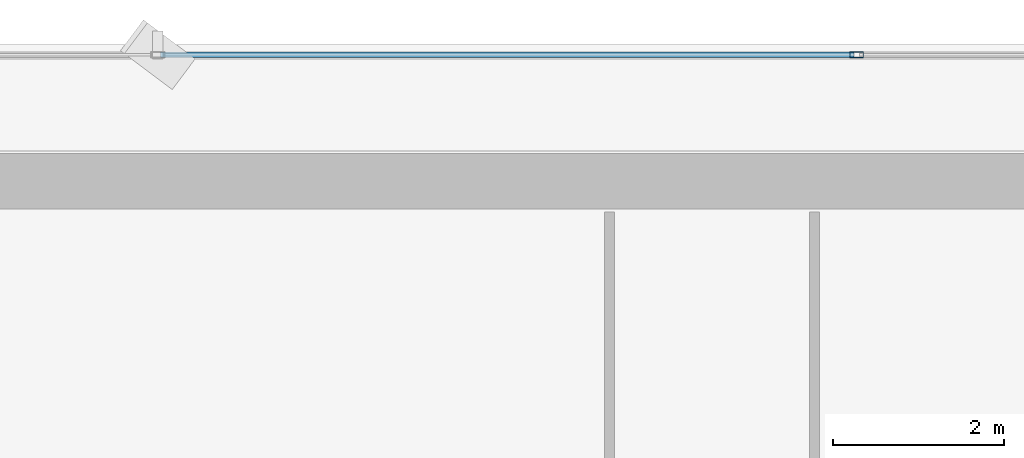
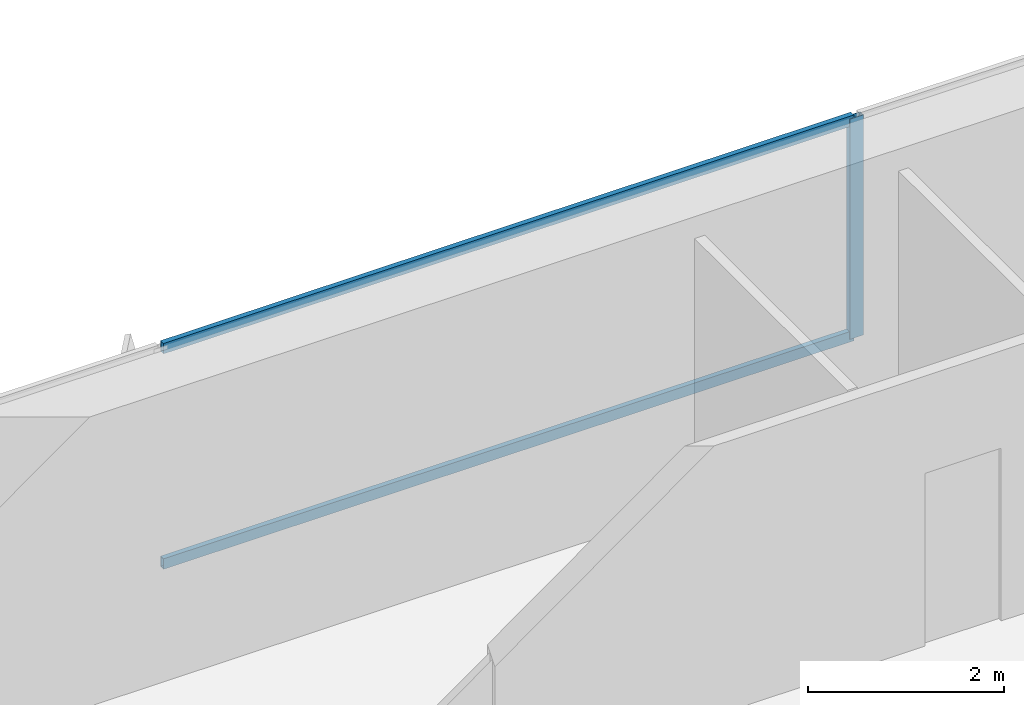
# One storey, part 22 of 36: 3 members, 1 element without a shape of its own.
"""IFC4 building model written with IfcOpenShell, lengths in metres."""

from ifc_helpers import new_model, si_unit, direction, frame, origin, origin_2d, place, context, subcontext, project, spatial, hollow_rectangle, extrude, source, transform, mapped, material, layer, layer_set, material_profile, profile_set, type_object, element, aggregate, save


model = new_model("IFC4")

# Units and contexts
model_context = context("Model", 3, precision=1e-05, world=origin(), true_north=direction((0.0, 1.0)))
body_context = subcontext(model_context, "Body", "Model", "MODEL_VIEW")
ifc_project = project(units=[si_unit("LENGTHUNIT", "METRE"), si_unit("AREAUNIT", "SQUARE_METRE"), si_unit("VOLUMEUNIT", "CUBIC_METRE"), si_unit("PLANEANGLEUNIT", "RADIAN"), si_unit("MASSUNIT", "GRAM", prefix="KILO")], contexts=[model_context])

# Site, building, storey
site_placement = place(None, origin())
site = spatial("IfcSite", under=ifc_project, at=site_placement, CompositionType="ELEMENT")
building_placement = place(site_placement, origin())
building = spatial("IfcBuilding", under=site, at=building_placement, Name="Sumidabori Civic Tower", CompositionType="ELEMENT")
storey_placement = place(building_placement, frame((0.0, 0.0, 84.800048828125)))
storey = spatial("IfcBuildingStorey", under=building, at=storey_placement, Name="L21", CompositionType="ELEMENT", Elevation=84.800048828125)

# Curtain wall, members
ifc_material = material(Name="Anodised Bronze Aluminium AW-6063-T6", Category="aluminium")
ifc_layer = layer(ifc_material, 0.179931640625, Name="Anodised Bronze Aluminium AW-6063-T6")
ifc_layer_set = layer_set([ifc_layer], Name="Anodised Bronze Aluminium AW-6063-T6")
curtain_wall_type = type_object("IfcCurtainWallType", Name="CW-SYS-3", PredefinedType="NOTDEFINED", material=ifc_layer_set)
curtain_wall_placement = place(storey_placement, origin())
curtain_wall = element("IfcCurtainWall", 1, at=curtain_wall_placement, inside=storey, type_object=curtain_wall_type, Name="Curtain Wall CW:L21:R07", PredefinedType="NOTDEFINED")
ifc_material_profile_1 = material_profile(ifc_material, hollow_rectangle(XDim=0.06494140625, YDim=0.159912109375, WallThickness=0.0048828125, at=origin_2d()), Name="ALU MULLION 160x65")
ifc_profile_set_1 = profile_set([ifc_material_profile_1], Name="Anodised Bronze Aluminium AW-6063-T6")
member_type_1 = type_object("IfcMemberType", Name="CW-MUL-160", PredefinedType="MULLION", material=ifc_profile_set_1)
shared_shape_1 = source(origin(), body_context, "Body", "SweptSolid", [
    extrude(hollow_rectangle(XDim=0.06494140625, YDim=0.159912109375, WallThickness=0.0048828125, at=origin_2d()), origin(), (0.0, 0.0, 1.0), 2.739990234375),
])
member_1_placement = place(storey_placement, frame((4.093994140625, 25.280029296875, 0.0), z_axis=(0.0, 0.0, 1.0), x_axis=(0.0, -1.0, 0.0)))
member_1 = element("IfcMember", 2, at=member_1_placement, type_object=member_type_1, Name="CW-3 mullion 3", PredefinedType="MULLION", context=body_context, shape_type="MappedRepresentation", body=[
    mapped(shared_shape_1, transform((0.0, 0.0, 0.0), x_axis=(1.0, 0.0, 0.0), y_axis=(0.0, 1.0, 0.0), z_axis=(0.0, 0.0, 1.0), scale=1.0)),
])
ifc_material_profile_2 = material_profile(ifc_material, hollow_rectangle(XDim=0.06005859375, YDim=0.1298828125, WallThickness=0.0048828125, at=origin_2d()), Name="ALU TRANSOM 130x60")
ifc_profile_set_2 = profile_set([ifc_material_profile_2], Name="Anodised Bronze Aluminium AW-6063-T6")
member_type_2 = type_object("IfcMemberType", Name="CW-TRN-130", PredefinedType="USERDEFINED", material=ifc_profile_set_2)
shared_shape_2 = source(origin(), body_context, "Body", "SweptSolid", [
    extrude(hollow_rectangle(XDim=0.06005859375, YDim=0.1298828125, WallThickness=0.0048828125, at=origin_2d()), origin(), (0.0, 0.0, 1.0), 8.123046875),
])
member_2_placement = place(storey_placement, frame((4.0615234375, 25.280029296875, 0.030029296875), z_axis=(-1.0, 0.0, 0.0), x_axis=(0.0, -1.0, 0.0)))
member_2 = element("IfcMember", 3, at=member_2_placement, type_object=member_type_2, Name="CW-3 transom 3.1", ObjectType="TRANSOM", PredefinedType="USERDEFINED", context=body_context, shape_type="MappedRepresentation", body=[
    mapped(shared_shape_2, transform((0.0, 0.0, 0.0), x_axis=(1.0, 0.0, 0.0), y_axis=(0.0, 1.0, 0.0), z_axis=(0.0, 0.0, 1.0), scale=1.0)),
])
member_3_placement = place(storey_placement, frame((4.0615234375, 25.280029296875, 2.7099609375), z_axis=(-1.0, 0.0, 0.0), x_axis=(0.0, -1.0, 0.0)))
member_3 = element("IfcMember", 4, at=member_3_placement, type_object=member_type_2, Name="CW-3 transom 3.2", ObjectType="TRANSOM", PredefinedType="USERDEFINED", context=body_context, shape_type="MappedRepresentation", body=[
    mapped(shared_shape_2, transform((0.0, 0.0, 0.0), x_axis=(1.0, 0.0, 0.0), y_axis=(0.0, 1.0, 0.0), z_axis=(0.0, 0.0, 1.0), scale=1.0)),
])
aggregate(curtain_wall, [member_1, member_2, member_3])

save(model, "model.ifc")
